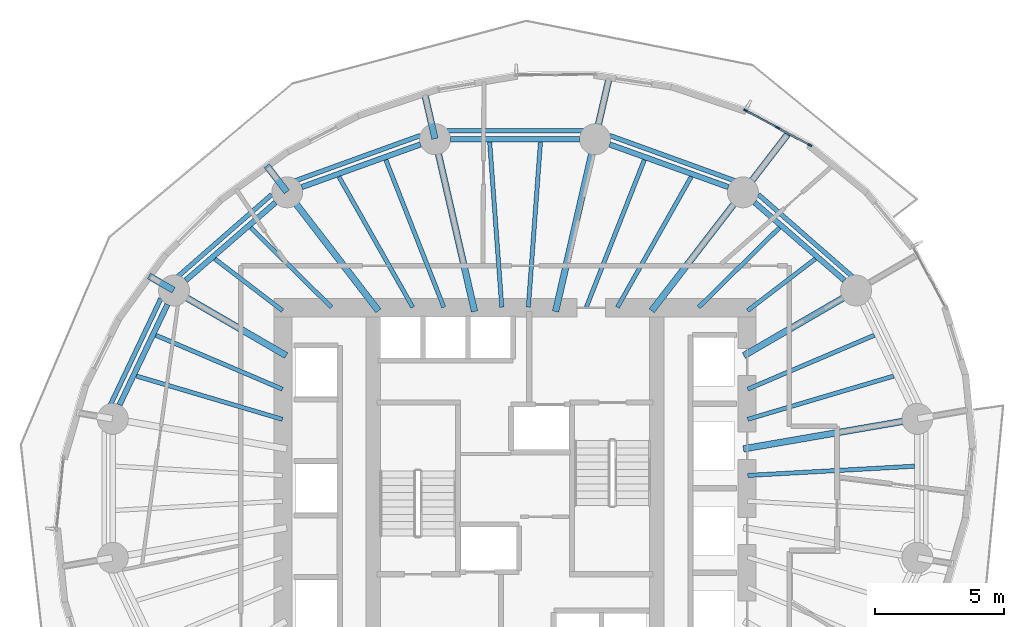
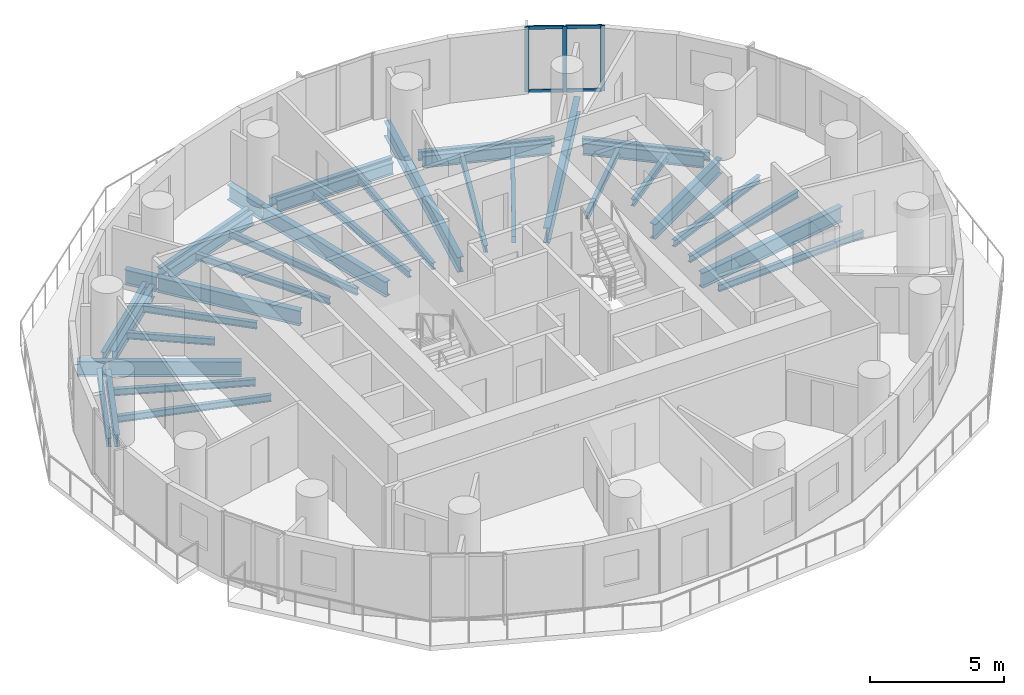
# One storey, part 4 of 14: 39 beams, 7 members, 1 element without a shape of its own.
"""IFC4 building model written with IfcOpenShell, lengths in metres."""

from ifc_helpers import new_model, si_unit, direction, frame, origin, origin_2d, place, context, subcontext, project, spatial, rectangle, i_section, extrude, material, material_profile, profile_set, type_object, element, aggregate, save


model = new_model("IFC4")

# Units and contexts
model_context = context("Model", 3, precision=1e-05, world=origin(), true_north=direction((0.0, 1.0)))
body_context = subcontext(model_context, "Body", "Model", "MODEL_VIEW")
ifc_project = project(units=[si_unit("LENGTHUNIT", "METRE"), si_unit("AREAUNIT", "SQUARE_METRE"), si_unit("VOLUMEUNIT", "CUBIC_METRE"), si_unit("PLANEANGLEUNIT", "RADIAN"), si_unit("MASSUNIT", "GRAM", prefix="KILO")], contexts=[model_context])

# Site, building, storey
site_placement = place(None, origin())
site = spatial("IfcSite", under=ifc_project, at=site_placement, CompositionType="ELEMENT")
building_placement = place(site_placement, origin())
building = spatial("IfcBuilding", under=site, at=building_placement, Name="Veldorim Arch Residences", CompositionType="ELEMENT")
storey_placement = place(building_placement, frame((0.0, 0.0, 99.679931640625)))
storey = spatial("IfcBuildingStorey", under=building, at=storey_placement, Name="L29", CompositionType="ELEMENT", Elevation=99.679931640625)

# Beams
ifc_material_1 = material(Name="Steel S355", Category="steel")
ifc_material_profile_1 = material_profile(ifc_material_1, i_section(OverallWidth=0.2119140625, OverallDepth=0.54443359375, WebThickness=0.0126953125, FlangeThickness=0.021240234375, at=origin_2d()), Name="UB533x210x122")
ifc_profile_set_1 = profile_set([ifc_material_profile_1], Name="Steel S355")
beam_type_1 = type_object("IfcBeamType", Name="Structural Steel Beam UB533x210x122", PredefinedType="BEAM", material=ifc_profile_set_1)
beam_1_placement = place(storey_placement, frame((44.767333984375, 32.060302734375, -0.51220703125), z_axis=(-0.755244952556, 0.655442645576, 0.0), x_axis=(-0.655442645576, -0.755244952556, 0.0)))
element("IfcBeam", 1, at=beam_1_placement, inside=storey, type_object=beam_type_1, Name="L29 perimeter ring tie beam 02", PredefinedType="BEAM", context=body_context, shape_type="SweptSolid", body=[
    extrude(i_section(OverallWidth=0.2119140625, OverallDepth=0.54443359375, WebThickness=0.0126953125, FlangeThickness=0.021240234375, at=origin_2d()), origin(), (0.0, 0.0, 1.0), 4.608642578125),
])
beam_2_placement = place(storey_placement, frame((40.26904296875, 35.67724609375, -0.51220703125), z_axis=(-0.941041944493, 0.338289903343, 0.0), x_axis=(-0.338289903343, -0.941041944493, 0.0)))
element("IfcBeam", 2, at=beam_2_placement, inside=storey, type_object=beam_type_1, Name="L29 perimeter ring tie beam 03", PredefinedType="BEAM", context=body_context, shape_type="SweptSolid", body=[
    extrude(i_section(OverallWidth=0.2119140625, OverallDepth=0.54443359375, WebThickness=0.0126953125, FlangeThickness=0.021240234375, at=origin_2d()), origin(), (0.0, 0.0, 1.0), 4.890869140625),
])
beam_3_placement = place(storey_placement, frame((34.501953125, 37.534912109375, -0.51220703125), z_axis=(-1.0, 0.0, 0.0), x_axis=(0.0, -1.0, 0.0)))
element("IfcBeam", 3, at=beam_3_placement, inside=storey, type_object=beam_type_1, Name="L29 perimeter ring tie beam 04", PredefinedType="BEAM", context=body_context, shape_type="SweptSolid", body=[
    extrude(i_section(OverallWidth=0.2119140625, OverallDepth=0.54443359375, WebThickness=0.0126953125, FlangeThickness=0.021240234375, at=origin_2d()), origin(), (0.0, 0.0, 1.0), 5.00390625),
])
beam_4_placement = place(storey_placement, frame((28.33349609375, 37.331787109375, -0.51220703125), z_axis=(-0.941041944493, -0.338289903343, 0.0), x_axis=(0.338289903343, -0.941041944493, 0.0)))
element("IfcBeam", 4, at=beam_4_placement, inside=storey, type_object=beam_type_1, Name="L29 perimeter ring tie beam 05", PredefinedType="BEAM", context=body_context, shape_type="SweptSolid", body=[
    extrude(i_section(OverallWidth=0.2119140625, OverallDepth=0.54443359375, WebThickness=0.0126953125, FlangeThickness=0.021240234375, at=origin_2d()), origin(), (0.0, 0.0, 1.0), 4.890869140625),
])
beam_5_placement = place(storey_placement, frame((22.71337890625, 35.0810546875, -0.51220703125), z_axis=(-0.755244952556, -0.655442645576, 0.0), x_axis=(0.655442645576, -0.755244952556, 0.0)))
element("IfcBeam", 5, at=beam_5_placement, inside=storey, type_object=beam_type_1, Name="L29 perimeter ring tie beam 06", PredefinedType="BEAM", context=body_context, shape_type="SweptSolid", body=[
    extrude(i_section(OverallWidth=0.2119140625, OverallDepth=0.54443359375, WebThickness=0.0126953125, FlangeThickness=0.021240234375, at=origin_2d()), origin(), (0.0, 0.0, 1.0), 4.608642578125),
])
beam_6_placement = place(storey_placement, frame((18.521240234375, 31.12548828125, -0.51220703125), z_axis=(-0.430720154476, -0.902485539235, 0.0), x_axis=(0.902485539235, -0.430720154476, 0.0)))
element("IfcBeam", 6, at=beam_6_placement, inside=storey, type_object=beam_type_1, Name="L29 perimeter ring tie beam 07", PredefinedType="BEAM", context=body_context, shape_type="SweptSolid", body=[
    extrude(i_section(OverallWidth=0.2119140625, OverallDepth=0.54443359375, WebThickness=0.0126953125, FlangeThickness=0.021240234375, at=origin_2d()), origin(), (0.0, 0.0, 1.0), 4.312255859375),
])
ifc_material_2 = material(Name="Steel S355", Category="steel")
ifc_material_profile_2 = material_profile(ifc_material_2, i_section(OverallWidth=0.25439453125, OverallDepth=0.6875, WebThickness=0.01318359375, FlangeThickness=0.02099609375, at=origin_2d()), Name="UB686x254x152")
ifc_profile_set_2 = profile_set([ifc_material_profile_2], Name="Steel S355")
beam_type_2 = type_object("IfcBeamType", Name="Structural Steel GIRDER UB686x254x152", PredefinedType="USERDEFINED", material=ifc_profile_set_2)
beam_7_placement = place(storey_placement, frame((40.852294921875, 25.5283203125, -0.583740234375), z_axis=(0.985426622718, 0.17010106184, 0.0), x_axis=(-0.17010106184, 0.985426622718, 0.0)))
element("IfcBeam", 7, at=beam_7_placement, inside=storey, type_object=beam_type_2, Name="L29 radial floor girder 01", ObjectType="GIRDER", PredefinedType="USERDEFINED", context=body_context, shape_type="SweptSolid", body=[
    extrude(i_section(OverallWidth=0.25439453125, OverallDepth=0.6875, WebThickness=0.01318359375, FlangeThickness=0.02099609375, at=origin_2d()), origin(), (0.0, 0.0, 1.0), 6.82177734375),
])
beam_8_placement = place(storey_placement, frame((40.8701171875, 29.14404296875, -0.583740234375), z_axis=(0.865048957682, 0.501687453314, 0.0), x_axis=(-0.501687453314, 0.865048957682, 0.0)))
element("IfcBeam", 8, at=beam_8_placement, inside=storey, type_object=beam_type_2, Name="L29 radial floor girder 02", ObjectType="GIRDER", PredefinedType="USERDEFINED", context=body_context, shape_type="SweptSolid", body=[
    extrude(i_section(OverallWidth=0.25439453125, OverallDepth=0.6875, WebThickness=0.01318359375, FlangeThickness=0.02099609375, at=origin_2d()), origin(), (0.0, 0.0, 1.0), 5.009033203125),
])
beam_9_placement = place(storey_placement, frame((37.297607421875, 30.881103515625, -0.583740234375), z_axis=(0.609994628196, 0.792405548676, 0.0), x_axis=(-0.792405548676, 0.609994628196, 0.0)))
element("IfcBeam", 9, at=beam_9_placement, inside=storey, type_object=beam_type_2, Name="L29 radial floor girder 03", ObjectType="GIRDER", PredefinedType="USERDEFINED", context=body_context, shape_type="SweptSolid", body=[
    extrude(i_section(OverallWidth=0.25439453125, OverallDepth=0.6875, WebThickness=0.01318359375, FlangeThickness=0.02099609375, at=origin_2d()), origin(), (0.0, 0.0, 1.0), 5.776611328125),
])
beam_10_placement = place(storey_placement, frame((40.845703125, 35.489990234375, -0.583740234375), z_axis=(0.610012928727, 0.792391460571, 0.0), x_axis=(-0.792391460571, 0.610012928727, 0.0)))
element("IfcBeam", 10, at=beam_10_placement, inside=storey, type_object=beam_type_2, Name="L29 radial edge cantilever girder 03", ObjectType="GIRDER", PredefinedType="USERDEFINED", context=body_context, shape_type="SweptSolid", body=[
    extrude(i_section(OverallWidth=0.25439453125, OverallDepth=0.6875, WebThickness=0.01318359375, FlangeThickness=0.02099609375, at=origin_2d()), origin(), (0.0, 0.0, 1.0), 2.85009765625),
])
beam_11_placement = place(storey_placement, frame((33.57080078125, 30.853759765625, -0.583740234375), z_axis=(0.223374742148, 0.97473264261, 0.0), x_axis=(-0.97473264261, 0.223374742148, 0.0)))
element("IfcBeam", 11, at=beam_11_placement, inside=storey, type_object=beam_type_2, Name="L29 radial floor girder 04", ObjectType="GIRDER", PredefinedType="USERDEFINED", context=body_context, shape_type="SweptSolid", body=[
    extrude(i_section(OverallWidth=0.25439453125, OverallDepth=0.6875, WebThickness=0.01318359375, FlangeThickness=0.02099609375, at=origin_2d()), origin(), (0.0, 0.0, 1.0), 6.834228515625),
])
beam_12_placement = place(storey_placement, frame((35.1064453125, 37.55419921875, -0.583740234375), z_axis=(0.223409552983, 0.974724664526, 0.0), x_axis=(-0.974724664526, 0.223409552983, 0.0)))
element("IfcBeam", 12, at=beam_12_placement, inside=storey, type_object=beam_type_2, Name="L29 radial edge cantilever girder 04", ObjectType="GIRDER", PredefinedType="USERDEFINED", context=body_context, shape_type="SweptSolid", body=[
    extrude(i_section(OverallWidth=0.25439453125, OverallDepth=0.6875, WebThickness=0.01318359375, FlangeThickness=0.02099609375, at=origin_2d()), origin(), (0.0, 0.0, 1.0), 2.4599609375),
])
beam_13_placement = place(storey_placement, frame((30.42919921875, 30.853759765625, -0.583740234375), z_axis=(-0.223374742148, 0.97473264261, 0.0), x_axis=(-0.97473264261, -0.223374742148, 0.0)))
element("IfcBeam", 13, at=beam_13_placement, inside=storey, type_object=beam_type_2, Name="L29 radial floor girder 05", ObjectType="GIRDER", PredefinedType="USERDEFINED", context=body_context, shape_type="SweptSolid", body=[
    extrude(i_section(OverallWidth=0.25439453125, OverallDepth=0.6875, WebThickness=0.01318359375, FlangeThickness=0.02099609375, at=origin_2d()), origin(), (0.0, 0.0, 1.0), 6.834228515625),
])
beam_14_placement = place(storey_placement, frame((28.8935546875, 37.55419921875, -0.583740234375), z_axis=(-0.223360224224, 0.974735969499, 0.0), x_axis=(-0.974735969499, -0.223360224224, 0.0)))
element("IfcBeam", 14, at=beam_14_placement, inside=storey, type_object=beam_type_2, Name="L29 radial edge cantilever girder 05", ObjectType="GIRDER", PredefinedType="USERDEFINED", context=body_context, shape_type="SweptSolid", body=[
    extrude(i_section(OverallWidth=0.25439453125, OverallDepth=0.6875, WebThickness=0.01318359375, FlangeThickness=0.02099609375, at=origin_2d()), origin(), (0.0, 0.0, 1.0), 1.81982421875),
])
beam_15_placement = place(storey_placement, frame((26.702392578125, 30.881103515625, -0.583740234375), z_axis=(-0.609994628196, 0.792405548676, 0.0), x_axis=(-0.792405548676, -0.609994628196, 0.0)))
element("IfcBeam", 15, at=beam_15_placement, inside=storey, type_object=beam_type_2, Name="L29 radial floor girder 06", ObjectType="GIRDER", PredefinedType="USERDEFINED", context=body_context, shape_type="SweptSolid", body=[
    extrude(i_section(OverallWidth=0.25439453125, OverallDepth=0.6875, WebThickness=0.01318359375, FlangeThickness=0.02099609375, at=origin_2d()), origin(), (0.0, 0.0, 1.0), 5.776611328125),
])
beam_16_placement = place(storey_placement, frame((23.154296875, 35.489990234375, -0.583740234375), z_axis=(-0.609941382305, 0.79244653457, 0.0), x_axis=(-0.79244653457, -0.609941382305, 0.0)))
element("IfcBeam", 16, at=beam_16_placement, inside=storey, type_object=beam_type_2, Name="L29 radial edge cantilever girder 06", ObjectType="GIRDER", PredefinedType="USERDEFINED", context=body_context, shape_type="SweptSolid", body=[
    extrude(i_section(OverallWidth=0.25439453125, OverallDepth=0.6875, WebThickness=0.01318359375, FlangeThickness=0.02099609375, at=origin_2d()), origin(), (0.0, 0.0, 1.0), 1.27880859375),
])
beam_17_placement = place(storey_placement, frame((23.1298828125, 29.14404296875, -0.583740234375), z_axis=(-0.865048957682, 0.501687453314, 0.0), x_axis=(-0.501687453314, -0.865048957682, 0.0)))
element("IfcBeam", 17, at=beam_17_placement, inside=storey, type_object=beam_type_2, Name="L29 radial floor girder 07", ObjectType="GIRDER", PredefinedType="USERDEFINED", context=body_context, shape_type="SweptSolid", body=[
    extrude(i_section(OverallWidth=0.25439453125, OverallDepth=0.6875, WebThickness=0.01318359375, FlangeThickness=0.02099609375, at=origin_2d()), origin(), (0.0, 0.0, 1.0), 5.009033203125),
])
beam_18_placement = place(storey_placement, frame((18.76220703125, 31.677001953125, -0.583740234375), z_axis=(-0.86508299699, 0.501628755474, 0.0), x_axis=(-0.501628755474, -0.86508299699, 0.0)))
element("IfcBeam", 18, at=beam_18_placement, inside=storey, type_object=beam_type_2, Name="L29 radial edge cantilever girder 07", ObjectType="GIRDER", PredefinedType="USERDEFINED", context=body_context, shape_type="SweptSolid", body=[
    extrude(i_section(OverallWidth=0.25439453125, OverallDepth=0.6875, WebThickness=0.01318359375, FlangeThickness=0.02099609375, at=origin_2d()), origin(), (0.0, 0.0, 1.0), 1.104248046875),
])
ifc_material_3 = material(Name="Steel S355", Category="steel")
ifc_material_profile_3 = material_profile(ifc_material_3, i_section(OverallWidth=0.165771484375, OverallDepth=0.306640625, WebThickness=0.006591796875, FlangeThickness=0.01171875, at=origin_2d()), Name="UB305x165x46")
ifc_profile_set_3 = profile_set([ifc_material_profile_3], Name="Steel S355")
beam_type_3 = type_object("IfcBeamType", Name="Structural Steel Joist UB305x165x46", PredefinedType="JOIST", material=ifc_profile_set_3)
beam_19_placement = place(storey_placement, frame((41.019287109375, 26.673583984375, -0.393310546875), z_axis=(0.958753061488, 0.284240333324, 0.0), x_axis=(-0.284240333324, 0.958753061488, 0.0)))
element("IfcBeam", 19, at=beam_19_placement, inside=storey, type_object=beam_type_3, Name="L29 secondary radial floor joist 01-1", PredefinedType="JOIST", context=body_context, shape_type="SweptSolid", body=[
    extrude(i_section(OverallWidth=0.165771484375, OverallDepth=0.306640625, WebThickness=0.006591796875, FlangeThickness=0.01171875, at=origin_2d()), origin(), (0.0, 0.0, 1.0), 5.906005859375),
])
beam_20_placement = place(storey_placement, frame((41.018310546875, 27.841552734375, -0.393310546875), z_axis=(0.919997395122, 0.391924473552, 0.0), x_axis=(-0.391924473552, 0.919997395122, 0.0)))
element("IfcBeam", 20, at=beam_20_placement, inside=storey, type_object=beam_type_3, Name="L29 secondary radial floor joist 01-2", PredefinedType="JOIST", context=body_context, shape_type="SweptSolid", body=[
    extrude(i_section(OverallWidth=0.165771484375, OverallDepth=0.306640625, WebThickness=0.006591796875, FlangeThickness=0.01171875, at=origin_2d()), origin(), (0.0, 0.0, 1.0), 5.334716796875),
])
beam_21_placement = place(storey_placement, frame((41.015869140625, 30.888427734375, -0.393310546875), z_axis=(0.794594763594, 0.60714014994, 0.0), x_axis=(-0.60714014994, 0.794594763594, 0.0)))
element("IfcBeam", 21, at=beam_21_placement, inside=storey, type_object=beam_type_3, Name="L29 secondary radial floor joist 02-1", PredefinedType="JOIST", context=body_context, shape_type="SweptSolid", body=[
    extrude(i_section(OverallWidth=0.165771484375, OverallDepth=0.306640625, WebThickness=0.006591796875, FlangeThickness=0.01171875, at=origin_2d()), origin(), (0.0, 0.0, 1.0), 3.30419921875),
])
beam_22_placement = place(storey_placement, frame((39.114013671875, 31.013916015625, -0.393310546875), z_axis=(0.712111629941, 0.702066255066, 0.0), x_axis=(-0.702066255066, 0.712111629941, 0.0)))
element("IfcBeam", 22, at=beam_22_placement, inside=storey, type_object=beam_type_3, Name="L29 secondary radial floor joist 02-2", PredefinedType="JOIST", context=body_context, shape_type="SweptSolid", body=[
    extrude(i_section(OverallWidth=0.165771484375, OverallDepth=0.306640625, WebThickness=0.006591796875, FlangeThickness=0.01171875, at=origin_2d()), origin(), (0.0, 0.0, 1.0), 4.39892578125),
])
beam_23_placement = place(storey_placement, frame((35.96826171875, 31.017333984375, -0.393310546875), z_axis=(0.492227411199, 0.870466642476, 0.0), x_axis=(-0.870466642476, 0.492227411199, 0.0)))
element("IfcBeam", 23, at=beam_23_placement, inside=storey, type_object=beam_type_3, Name="L29 secondary radial floor joist 03-1", PredefinedType="JOIST", context=body_context, shape_type="SweptSolid", body=[
    extrude(i_section(OverallWidth=0.165771484375, OverallDepth=0.306640625, WebThickness=0.006591796875, FlangeThickness=0.01171875, at=origin_2d()), origin(), (0.0, 0.0, 1.0), 5.81494140625),
])
beam_24_placement = place(storey_placement, frame((34.761962890625, 31.0185546875, -0.393310546875), z_axis=(0.366194870364, 0.930538186707, 0.0), x_axis=(-0.930538186707, 0.366194870364, 0.0)))
element("IfcBeam", 24, at=beam_24_placement, inside=storey, type_object=beam_type_3, Name="L29 secondary radial floor joist 03-2", PredefinedType="JOIST", context=body_context, shape_type="SweptSolid", body=[
    extrude(i_section(OverallWidth=0.165771484375, OverallDepth=0.306640625, WebThickness=0.006591796875, FlangeThickness=0.01171875, at=origin_2d()), origin(), (0.0, 0.0, 1.0), 6.1396484375),
])
for number, where, z_axis, x_axis, name in (
    (25, (32.514892578125, 31.02001953125, -0.393310546875), (0.073143494169, 0.997321427254, 0.0), (-0.997321427254, 0.073143494169, 0.0), "L29 secondary radial floor joist 04-1"),
    (26, (31.485107421875, 31.02001953125, -0.393310546875), (-0.073143494169, 0.997321427254, 0.0), (-0.997321427254, -0.073143494169, 0.0), "L29 secondary radial floor joist 04-2"),
):
    element("IfcBeam", number, at=place(storey_placement, frame(where, z_axis=z_axis, x_axis=x_axis)), inside=storey, type_object=beam_type_3, Name=name, PredefinedType="JOIST", context=body_context, shape_type="SweptSolid", body=[
        extrude(i_section(OverallWidth=0.165771484375, OverallDepth=0.306640625, WebThickness=0.006591796875, FlangeThickness=0.01171875, at=origin_2d()), origin(), (0.0, 0.0, 1.0), 6.421875),
    ])
beam_25_placement = place(storey_placement, frame((29.238037109375, 31.0185546875, -0.393310546875), z_axis=(-0.366194870364, 0.930538186707, 0.0), x_axis=(-0.930538186707, -0.366194870364, 0.0)))
element("IfcBeam", 27, at=beam_25_placement, inside=storey, type_object=beam_type_3, Name="L29 secondary radial floor joist 05-1", PredefinedType="JOIST", context=body_context, shape_type="SweptSolid", body=[
    extrude(i_section(OverallWidth=0.165771484375, OverallDepth=0.306640625, WebThickness=0.006591796875, FlangeThickness=0.01171875, at=origin_2d()), origin(), (0.0, 0.0, 1.0), 6.1396484375),
])
beam_26_placement = place(storey_placement, frame((28.03173828125, 31.017333984375, -0.393310546875), z_axis=(-0.492227411199, 0.870466642476, 0.0), x_axis=(-0.870466642476, -0.492227411199, 0.0)))
element("IfcBeam", 28, at=beam_26_placement, inside=storey, type_object=beam_type_3, Name="L29 secondary radial floor joist 05-2", PredefinedType="JOIST", context=body_context, shape_type="SweptSolid", body=[
    extrude(i_section(OverallWidth=0.165771484375, OverallDepth=0.306640625, WebThickness=0.006591796875, FlangeThickness=0.01171875, at=origin_2d()), origin(), (0.0, 0.0, 1.0), 5.81494140625),
])
beam_27_placement = place(storey_placement, frame((24.885986328125, 31.013916015625, -0.393310546875), z_axis=(-0.712111629941, 0.702066255066, 0.0), x_axis=(-0.702066255066, -0.712111629941, 0.0)))
element("IfcBeam", 29, at=beam_27_placement, inside=storey, type_object=beam_type_3, Name="L29 secondary radial floor joist 06-1", PredefinedType="JOIST", context=body_context, shape_type="SweptSolid", body=[
    extrude(i_section(OverallWidth=0.165771484375, OverallDepth=0.306640625, WebThickness=0.006591796875, FlangeThickness=0.01171875, at=origin_2d()), origin(), (0.0, 0.0, 1.0), 4.39892578125),
])
beam_28_placement = place(storey_placement, frame((22.984130859375, 30.888427734375, -0.393310546875), z_axis=(-0.794594763594, 0.60714014994, 0.0), x_axis=(-0.60714014994, -0.794594763594, 0.0)))
element("IfcBeam", 30, at=beam_28_placement, inside=storey, type_object=beam_type_3, Name="L29 secondary radial floor joist 06-2", PredefinedType="JOIST", context=body_context, shape_type="SweptSolid", body=[
    extrude(i_section(OverallWidth=0.165771484375, OverallDepth=0.306640625, WebThickness=0.006591796875, FlangeThickness=0.01171875, at=origin_2d()), origin(), (0.0, 0.0, 1.0), 3.30419921875),
])
beam_29_placement = place(storey_placement, frame((22.981689453125, 27.841552734375, -0.393310546875), z_axis=(-0.919997395122, 0.391924473552, 0.0), x_axis=(-0.391924473552, -0.919997395122, 0.0)))
element("IfcBeam", 31, at=beam_29_placement, inside=storey, type_object=beam_type_3, Name="L29 secondary radial floor joist 07-1", PredefinedType="JOIST", context=body_context, shape_type="SweptSolid", body=[
    extrude(i_section(OverallWidth=0.165771484375, OverallDepth=0.306640625, WebThickness=0.006591796875, FlangeThickness=0.01171875, at=origin_2d()), origin(), (0.0, 0.0, 1.0), 5.334716796875),
])
beam_30_placement = place(storey_placement, frame((22.980712890625, 26.673583984375, -0.393310546875), z_axis=(-0.958753061488, 0.284240333324, 0.0), x_axis=(-0.284240333324, -0.958753061488, 0.0)))
element("IfcBeam", 32, at=beam_30_placement, inside=storey, type_object=beam_type_3, Name="L29 secondary radial floor joist 07-2", PredefinedType="JOIST", context=body_context, shape_type="SweptSolid", body=[
    extrude(i_section(OverallWidth=0.165771484375, OverallDepth=0.306640625, WebThickness=0.006591796875, FlangeThickness=0.01171875, at=origin_2d()), origin(), (0.0, 0.0, 1.0), 5.906005859375),
])
beam_31_placement = place(storey_placement, frame((41.02001953125, 24.498291015625, -0.393310546875), z_axis=(0.99847713097, 0.055167190702, 0.0), x_axis=(-0.055167190702, 0.99847713097, 0.0)))
element("IfcBeam", 33, at=beam_31_placement, inside=storey, type_object=beam_type_3, Name="L29 secondary radial floor joist 16-2", PredefinedType="JOIST", context=body_context, shape_type="SweptSolid", body=[
    extrude(i_section(OverallWidth=0.165771484375, OverallDepth=0.306640625, WebThickness=0.006591796875, FlangeThickness=0.01171875, at=origin_2d()), origin(), (0.0, 0.0, 1.0), 6.474365234375),
])
ifc_material_4 = material(Name="Steel S355", Category="steel")
ifc_material_profile_4 = material_profile(ifc_material_4, i_section(OverallWidth=0.1787109375, OverallDepth=0.409423828125, WebThickness=0.0087890625, FlangeThickness=0.014404296875, at=origin_2d()), Name="UB406x178x67")
ifc_profile_set_4 = profile_set([ifc_material_profile_4], Name="Steel S355")
beam_type_4 = type_object("IfcBeamType", Name="Structural Steel Spandrel UB406x178x67", PredefinedType="SPANDREL", material=ifc_profile_set_4)
beam_32_placement = place(storey_placement, frame((45.108154296875, 32.1796875, -0.464599609375), z_axis=(-0.753323239074, 0.65765043714, 0.0), x_axis=(-0.65765043714, -0.753323239074, 0.0)))
element("IfcBeam", 34, at=beam_32_placement, inside=storey, type_object=beam_type_4, Name="L29 perimeter chord spandrel beam 02", PredefinedType="SPANDREL", context=body_context, shape_type="SweptSolid", body=[
    extrude(i_section(OverallWidth=0.1787109375, OverallDepth=0.409423828125, WebThickness=0.0087890625, FlangeThickness=0.014404296875, at=origin_2d()), origin(), (0.0, 0.0, 1.0), 4.879150390625),
])
beam_33_placement = place(storey_placement, frame((40.538330078125, 35.91552734375, -0.464599609375), z_axis=(-0.940307501418, 0.340326024244, 0.0), x_axis=(-0.340326024244, -0.940307501418, 0.0)))
element("IfcBeam", 35, at=beam_33_placement, inside=storey, type_object=beam_type_4, Name="L29 perimeter chord spandrel beam 03", PredefinedType="SPANDREL", context=body_context, shape_type="SweptSolid", body=[
    extrude(i_section(OverallWidth=0.1787109375, OverallDepth=0.409423828125, WebThickness=0.0087890625, FlangeThickness=0.014404296875, at=origin_2d()), origin(), (0.0, 0.0, 1.0), 5.175048828125),
])
beam_34_placement = place(storey_placement, frame((34.647705078125, 37.8564453125, -0.464599609375), z_axis=(-1.0, 0.0, 0.0), x_axis=(0.0, -1.0, 0.0)))
element("IfcBeam", 36, at=beam_34_placement, inside=storey, type_object=beam_type_4, Name="L29 perimeter chord spandrel beam 04", PredefinedType="SPANDREL", context=body_context, shape_type="SweptSolid", body=[
    extrude(i_section(OverallWidth=0.1787109375, OverallDepth=0.409423828125, WebThickness=0.0087890625, FlangeThickness=0.014404296875, at=origin_2d()), origin(), (0.0, 0.0, 1.0), 5.29541015625),
])
beam_35_placement = place(storey_placement, frame((28.327880859375, 37.6767578125, -0.464599609375), z_axis=(-0.940307501418, -0.340326024244, 0.0), x_axis=(0.340326024244, -0.940307501418, 0.0)))
element("IfcBeam", 37, at=beam_35_placement, inside=storey, type_object=beam_type_4, Name="L29 perimeter chord spandrel beam 05", PredefinedType="SPANDREL", context=body_context, shape_type="SweptSolid", body=[
    extrude(i_section(OverallWidth=0.1787109375, OverallDepth=0.409423828125, WebThickness=0.0087890625, FlangeThickness=0.014404296875, at=origin_2d()), origin(), (0.0, 0.0, 1.0), 5.175048828125),
])
beam_36_placement = place(storey_placement, frame((22.5673828125, 35.388427734375, -0.464599609375), z_axis=(-0.753323239074, -0.65765043714, 0.0), x_axis=(0.65765043714, -0.753323239074, 0.0)))
element("IfcBeam", 38, at=beam_36_placement, inside=storey, type_object=beam_type_4, Name="L29 perimeter chord spandrel beam 06", PredefinedType="SPANDREL", context=body_context, shape_type="SweptSolid", body=[
    extrude(i_section(OverallWidth=0.1787109375, OverallDepth=0.409423828125, WebThickness=0.0087890625, FlangeThickness=0.014404296875, at=origin_2d()), origin(), (0.0, 0.0, 1.0), 4.879150390625),
])
beam_37_placement = place(storey_placement, frame((18.267578125, 31.35546875, -0.464599609375), z_axis=(-0.428857472204, -0.903372165021, 0.0), x_axis=(0.903372165021, -0.428857472204, 0.0)))
element("IfcBeam", 39, at=beam_37_placement, inside=storey, type_object=beam_type_4, Name="L29 perimeter chord spandrel beam 07", PredefinedType="SPANDREL", context=body_context, shape_type="SweptSolid", body=[
    extrude(i_section(OverallWidth=0.1787109375, OverallDepth=0.409423828125, WebThickness=0.0087890625, FlangeThickness=0.014404296875, at=origin_2d()), origin(), (0.0, 0.0, 1.0), 4.572021484375),
])

# Curtain wall, members
ifc_material_5 = material(Name="Aluminium", Category="aluminium")
curtain_wall_type = type_object("IfcCurtainWallType", Name="Zone 2 Solar-Control Unitised Curtain Wall", PredefinedType="NOTDEFINED", material=ifc_material_5)
curtain_wall_placement = place(storey_placement, origin())
curtain_wall = element("IfcCurtainWall", 40, at=curtain_wall_placement, inside=storey, type_object=curtain_wall_type, Name="L29 unitised curtain wall bay 04", PredefinedType="NOTDEFINED")
ifc_material_6 = material(Name="Aluminium", Category="aluminium")
ifc_material_profile_5 = material_profile(ifc_material_6, rectangle(XDim=0.06494140625, YDim=0.1650390625, at=origin_2d()), Name="ALU_MUL_65x165")
ifc_profile_set_5 = profile_set([ifc_material_profile_5], Name="Aluminium")
member_type_1 = type_object("IfcMemberType", Name="Zone 2 Solar-Control Unitised Curtain Wall Mullion 65x165", PredefinedType="MULLION", material=ifc_profile_set_5)
member_1_placement = place(storey_placement, frame((40.93359375, 38.65185546875, 0.0), z_axis=(0.0, 0.0, 1.0), x_axis=(0.476096408895, 0.879393091534, 0.0)))
member_1 = element("IfcMember", 41, at=member_1_placement, type_object=member_type_1, Name="CW-Z2 mullion 1", PredefinedType="MULLION", context=body_context, shape_type="SweptSolid", body=[
    extrude(rectangle(XDim=0.06494140625, YDim=0.1650390625, at=origin_2d()), origin(), (0.0, 0.0, 1.0), 2.9599609375),
])
member_2_placement = place(storey_placement, frame((42.179443359375, 37.9775390625, 0.0), z_axis=(0.0, 0.0, 1.0), x_axis=(0.476096408895, 0.879393091534, 0.0)))
member_2 = element("IfcMember", 42, at=member_2_placement, type_object=member_type_1, Name="CW-Z2 mullion 2", PredefinedType="MULLION", context=body_context, shape_type="SweptSolid", body=[
    extrude(rectangle(XDim=0.06494140625, YDim=0.1650390625, at=origin_2d()), origin(), (0.0, 0.0, 1.0), 2.9599609375),
])
member_3_placement = place(storey_placement, frame((43.42529296875, 37.302978515625, 0.0), z_axis=(0.0, 0.0, 1.0), x_axis=(0.476096408895, 0.879393091534, 0.0)))
member_3 = element("IfcMember", 43, at=member_3_placement, type_object=member_type_1, Name="CW-Z2 mullion 3", PredefinedType="MULLION", context=body_context, shape_type="SweptSolid", body=[
    extrude(rectangle(XDim=0.06494140625, YDim=0.1650390625, at=origin_2d()), origin(), (0.0, 0.0, 1.0), 2.9599609375),
])
ifc_material_7 = material(Name="Aluminium", Category="aluminium")
ifc_material_profile_6 = material_profile(ifc_material_7, rectangle(XDim=0.06494140625, YDim=0.14501953125, at=origin_2d()), Name="ALU_TRN_65x145")
ifc_profile_set_6 = profile_set([ifc_material_profile_6], Name="Aluminium")
member_type_2 = type_object("IfcMemberType", Name="Zone 2 Solar-Control Unitised Curtain Wall Transom 65x145", PredefinedType="USERDEFINED", material=ifc_profile_set_6)
member_4_placement = place(storey_placement, frame((40.962158203125, 38.636474609375, 0.032470703125), z_axis=(0.879395948535, -0.476091131718, 0.0), x_axis=(0.476091131718, 0.879395948535, 0.0)))
member_4 = element("IfcMember", 44, at=member_4_placement, type_object=member_type_2, Name="CW-Z2 transom 1.1", ObjectType="TRANSOM", PredefinedType="USERDEFINED", context=body_context, shape_type="SweptSolid", body=[
    extrude(rectangle(XDim=0.06494140625, YDim=0.14501953125, at=origin_2d()), origin(), (0.0, 0.0, 1.0), 1.351806640625),
])
member_5_placement = place(storey_placement, frame((40.962158203125, 38.636474609375, 2.927490234375), z_axis=(0.879395948535, -0.476091131718, 0.0), x_axis=(0.476091131718, 0.879395948535, 0.0)))
member_5 = element("IfcMember", 45, at=member_5_placement, type_object=member_type_2, Name="CW-Z2 transom 1.2", ObjectType="TRANSOM", PredefinedType="USERDEFINED", context=body_context, shape_type="SweptSolid", body=[
    extrude(rectangle(XDim=0.06494140625, YDim=0.14501953125, at=origin_2d()), origin(), (0.0, 0.0, 1.0), 1.351806640625),
])
member_6_placement = place(storey_placement, frame((42.2080078125, 37.9619140625, 0.032470703125), z_axis=(0.879395948535, -0.476091131718, 0.0), x_axis=(0.476091131718, 0.879395948535, 0.0)))
member_6 = element("IfcMember", 46, at=member_6_placement, type_object=member_type_2, Name="CW-Z2 transom 2.1", ObjectType="TRANSOM", PredefinedType="USERDEFINED", context=body_context, shape_type="SweptSolid", body=[
    extrude(rectangle(XDim=0.06494140625, YDim=0.14501953125, at=origin_2d()), origin(), (0.0, 0.0, 1.0), 1.351806640625),
])
member_7_placement = place(storey_placement, frame((42.2080078125, 37.9619140625, 2.927490234375), z_axis=(0.879395948535, -0.476091131718, 0.0), x_axis=(0.476091131718, 0.879395948535, 0.0)))
member_7 = element("IfcMember", 47, at=member_7_placement, type_object=member_type_2, Name="CW-Z2 transom 2.2", ObjectType="TRANSOM", PredefinedType="USERDEFINED", context=body_context, shape_type="SweptSolid", body=[
    extrude(rectangle(XDim=0.06494140625, YDim=0.14501953125, at=origin_2d()), origin(), (0.0, 0.0, 1.0), 1.351806640625),
])
aggregate(curtain_wall, [member_1, member_2, member_3, member_4, member_5, member_6, member_7])

save(model, "model.ifc")
